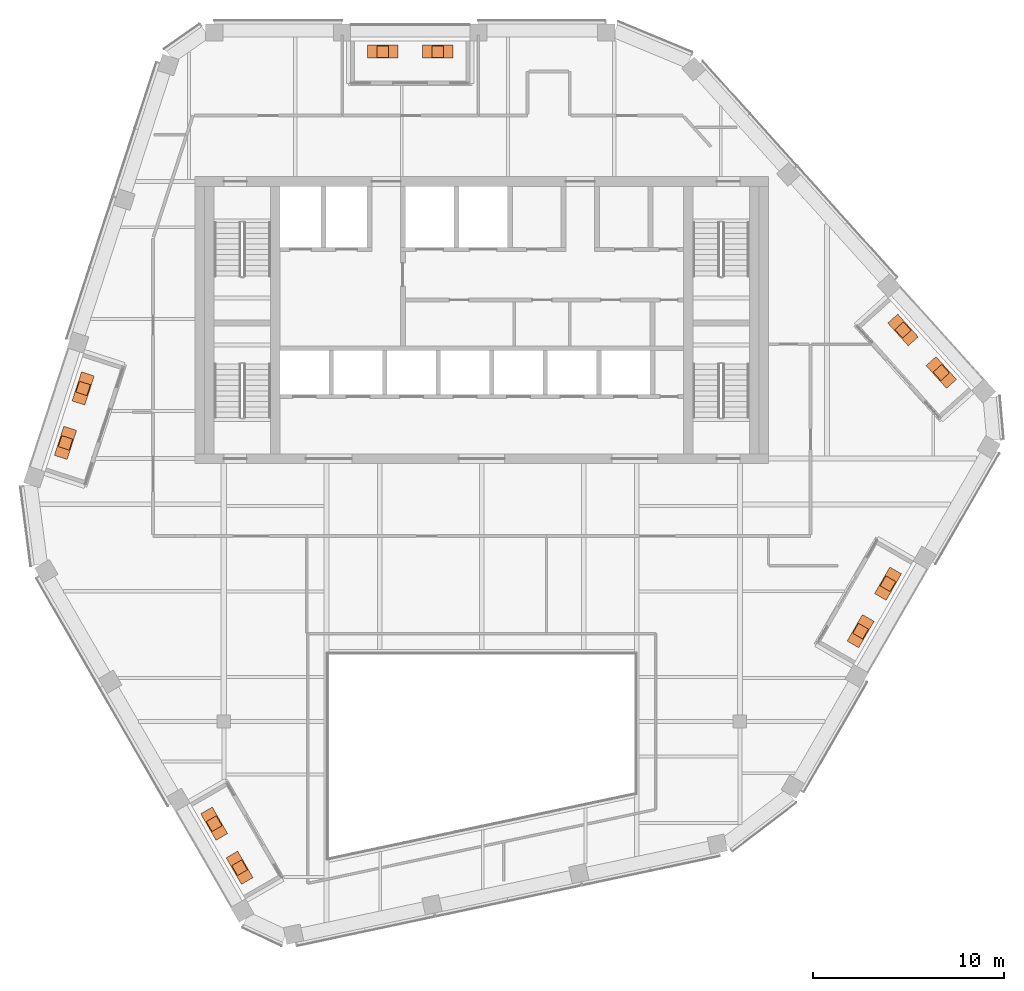
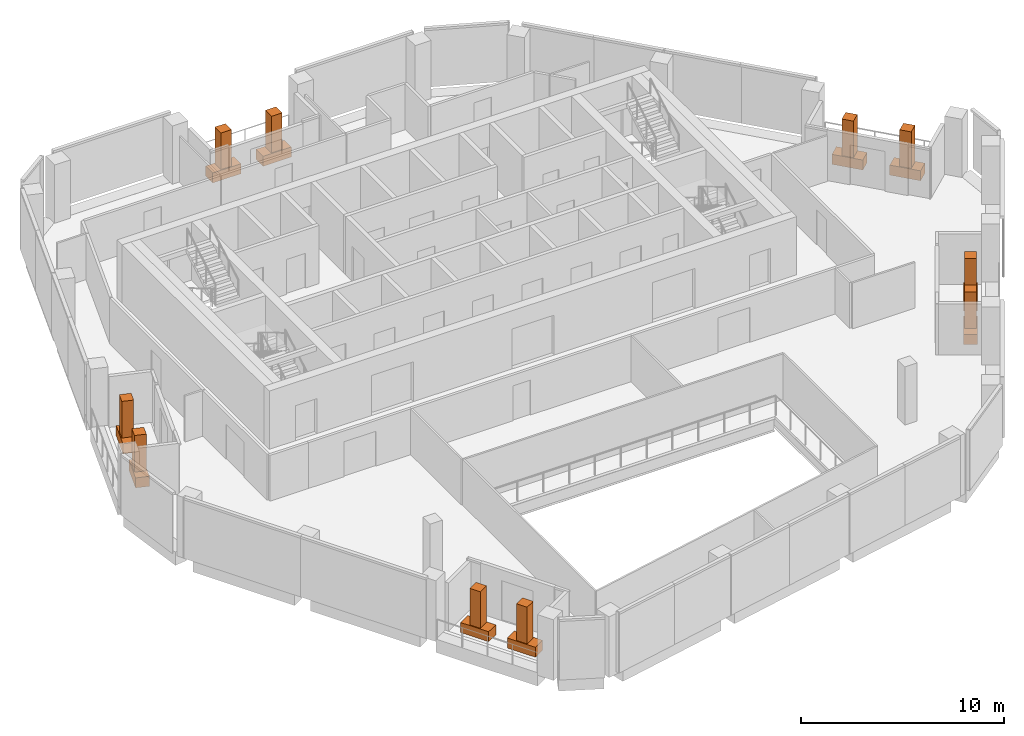
# One storey, part 20 of 20: 10 geographic elements, 10 proxies.
"""IFC4 building model written with IfcOpenShell, lengths in metres."""

from ifc_helpers import new_model, si_unit, direction, frame, origin, origin_2d, place, context, subcontext, project, spatial, rectangle, extrude, material, type_object, element, save


model = new_model("IFC4")

# Units and contexts
model_context = context("Model", 3, precision=1e-05, world=origin(), true_north=direction((0.0, 1.0)))
body_context = subcontext(model_context, "Body", "Model", "MODEL_VIEW")
ifc_project = project(units=[si_unit("LENGTHUNIT", "METRE"), si_unit("AREAUNIT", "SQUARE_METRE"), si_unit("VOLUMEUNIT", "CUBIC_METRE"), si_unit("PLANEANGLEUNIT", "RADIAN"), si_unit("MASSUNIT", "GRAM", prefix="KILO")], contexts=[model_context])

# Site, building, storey
site_placement = place(None, origin())
site = spatial("IfcSite", under=ifc_project, at=site_placement, CompositionType="ELEMENT")
building_placement = place(site_placement, origin())
building = spatial("IfcBuilding", under=site, at=building_placement, Name="Isthmus Gate Tower", CompositionType="ELEMENT")
storey_placement = place(building_placement, frame((0.0, 0.0, 279.199951171875)))
storey = spatial("IfcBuildingStorey", under=building, at=storey_placement, Name="L71", CompositionType="ELEMENT", Elevation=279.199951171875)

# Geographic elements
ifc_material_1 = material(Name="Plant material, broadleaf tree")
geographic_element_type = type_object("IfcGeographicElementType", Name="BROADLEAF TREE 2200 HIGH", PredefinedType="USERDEFINED", material=ifc_material_1)
for number, where, z_axis, x_axis, name in (
    (1, (-2.308349609375, 21.550048828125, 0.60009765625), (0.0, 0.0, 1.0), (-1.0, 0.0, 0.0), "TREE"),
    (2, (-5.17626953125, 21.550048828125, 0.60009765625), (0.0, 0.0, 1.0), (-1.0, 0.0, 0.0), "TREE"),
    (3, (-20.855712890625, 3.923583984375, 0.60009765625), (0.0, 0.0, 1.0), (-0.309016994375, -0.951056516295, 0.0), "TREE"),
    (4, (-21.78076171875, 1.076904296875, 0.60009765625), (0.0, 0.0, 1.0), (-0.309016994375, -0.951056516295, 0.0), "TREE"),
    (5, (-14.002197265625, -18.84765625, 0.60009765625), (0.0, 0.0, 1.0), (0.5, -0.866025403784, 0.0), "TREE"),
    (6, (-12.671630859375, -21.152099609375, 0.60009765625), (0.0, 0.0, 1.0), (0.5, -0.866025403784, 0.0), "TREE"),
    (7, (19.817138671875, -8.77587890625, 0.60009765625), (0.0, 0.0, 1.0), (0.5, 0.866025403784, 0.0), "TREE"),
    (8, (21.2509765625, -6.292236328125, 0.60009765625), (0.0, 0.0, 1.0), (0.5, 0.866025403784, 0.0), "TREE"),
    (9, (24.0390625, 4.7568359375, 0.60009765625), (0.0, 0.0, 1.0), (-0.669130606359, 0.743144825477, 0.0), "TREE"),
    (10, (22.036376953125, 6.981201171875, 0.60009765625), (0.0, 0.0, 1.0), (-0.669130606359, 0.743144825477, 0.0), "TREE"),
):
    element("IfcGeographicElement", number, at=place(storey_placement, frame(where, z_axis=z_axis, x_axis=x_axis)), inside=storey, type_object=geographic_element_type, Name=name, ObjectType="TREE", PredefinedType="USERDEFINED", context=body_context, shape_type="SweptSolid", body=[
        extrude(rectangle(XDim=0.60009765625, YDim=0.60009765625, at=origin_2d()), origin(), (0.0, 0.0, 1.0), 2.199951171875),
    ])

# Proxies
ifc_material_2 = material(Name="Concrete f'c 40 MPa", Category="concrete")
building_element_proxy_type = type_object("IfcBuildingElementProxyType", Name="CONCRETE PLANTER 1600 X 700 X 600", PredefinedType="USERDEFINED", material=ifc_material_2)
for number, where, z_axis, x_axis, name in (
    (11, (-2.308349609375, 21.550048828125, 0.0), (0.0, 0.0, 1.0), (-1.0, 0.0, 0.0), "PLANTER"),
    (12, (-5.17626953125, 21.550048828125, 0.0), (0.0, 0.0, 1.0), (-1.0, 0.0, 0.0), "PLANTER"),
    (13, (-20.855712890625, 3.923583984375, 0.0), (0.0, 0.0, 1.0), (-0.309016994375, -0.951056516295, 0.0), "PLANTER"),
    (14, (-21.78076171875, 1.076904296875, 0.0), (0.0, 0.0, 1.0), (-0.309016994375, -0.951056516295, 0.0), "PLANTER"),
    (15, (-14.002197265625, -18.84765625, 0.0), (0.0, 0.0, 1.0), (0.5, -0.866025403784, 0.0), "PLANTER"),
    (16, (-12.671630859375, -21.152099609375, 0.0), (0.0, 0.0, 1.0), (0.5, -0.866025403784, 0.0), "PLANTER"),
    (17, (19.817138671875, -8.77587890625, 0.0), (0.0, 0.0, 1.0), (0.5, 0.866025403784, 0.0), "PLANTER"),
    (18, (21.2509765625, -6.292236328125, 0.0), (0.0, 0.0, 1.0), (0.5, 0.866025403784, 0.0), "PLANTER"),
    (19, (24.0390625, 4.7568359375, 0.0), (0.0, 0.0, 1.0), (-0.669130606359, 0.743144825477, 0.0), "PLANTER"),
    (20, (22.036376953125, 6.981201171875, 0.0), (0.0, 0.0, 1.0), (-0.669130606359, 0.743144825477, 0.0), "PLANTER"),
):
    element("IfcBuildingElementProxy", number, at=place(storey_placement, frame(where, z_axis=z_axis, x_axis=x_axis)), inside=storey, type_object=building_element_proxy_type, Name=name, ObjectType="PLANTER", PredefinedType="USERDEFINED", context=body_context, shape_type="SweptSolid", body=[
        extrude(rectangle(XDim=1.60009765625, YDim=0.699951171875, at=origin_2d()), origin(), (0.0, 0.0, 1.0), 0.60009765625),
    ])

save(model, "model.ifc")
